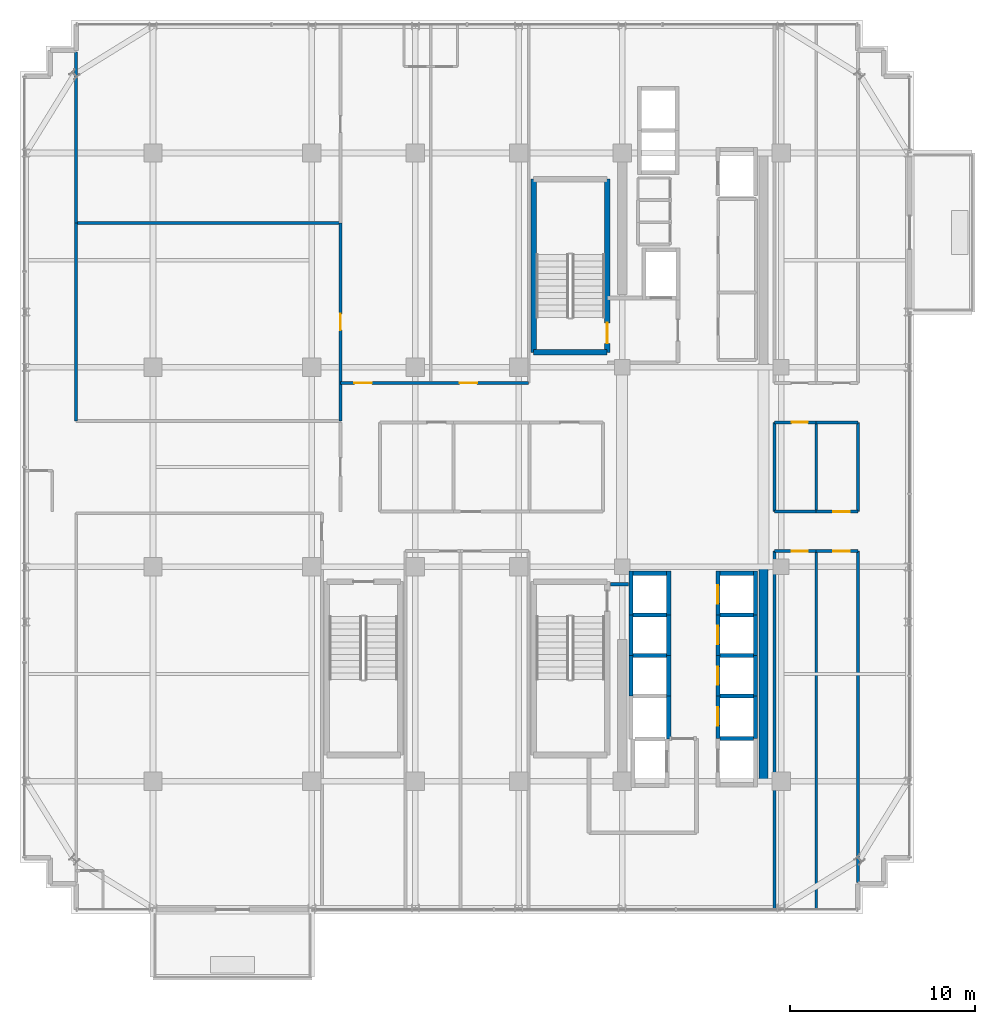
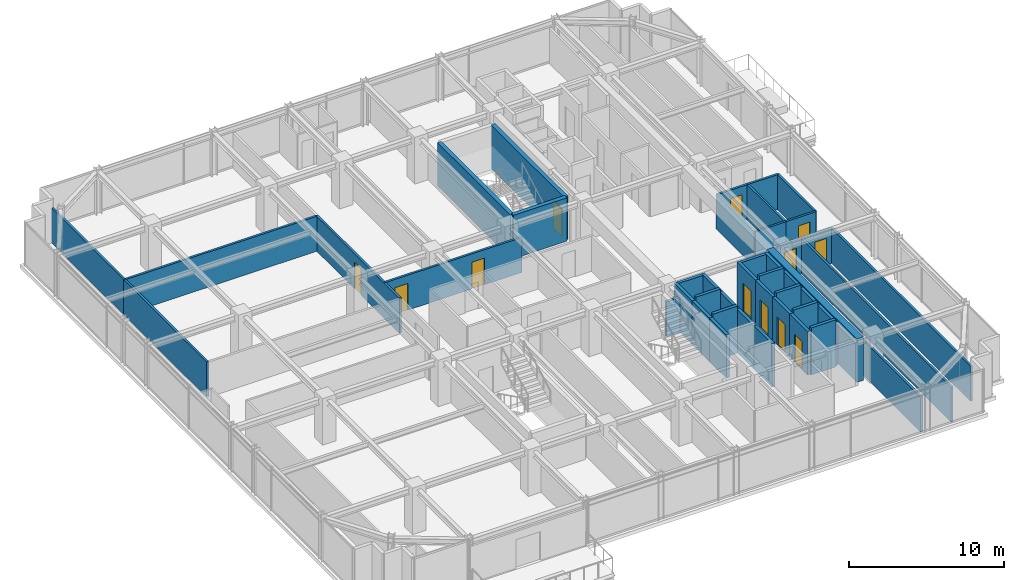
# One storey, part 31 of 36: 45 walls, 12 doors, 12 openings.
"""IFC4 building model written with IfcOpenShell, lengths in metres."""

from ifc_helpers import new_model, si_unit, direction, frame, frame_2d, origin, place, context, subcontext, project, spatial, rectangle, extrude, source, transform, mapped, material, layer, layer_set, type_object, element, fill, save


model = new_model("IFC4")

# Units and contexts
model_context = context("Model", 3, precision=1e-05, world=origin(), true_north=direction((0.0, 1.0)))
body_context = subcontext(model_context, "Body", "Model", "MODEL_VIEW")
ifc_project = project(units=[si_unit("LENGTHUNIT", "METRE"), si_unit("AREAUNIT", "SQUARE_METRE"), si_unit("VOLUMEUNIT", "CUBIC_METRE"), si_unit("PLANEANGLEUNIT", "RADIAN"), si_unit("MASSUNIT", "GRAM", prefix="KILO")], contexts=[model_context])

# Site, building, storey
site_placement = place(None, origin())
site = spatial("IfcSite", under=ifc_project, at=site_placement, CompositionType="ELEMENT")
building_placement = place(site_placement, origin())
building = spatial("IfcBuilding", under=site, at=building_placement, Name="Nahalor Promenade Grand Hotel", CompositionType="ELEMENT")
storey_placement = place(building_placement, frame((0.0, 0.0, 223.39990234375)))
storey = spatial("IfcBuildingStorey", under=building, at=storey_placement, Name="L57", CompositionType="ELEMENT", Elevation=223.39990234375)

# Walls
ifc_material_1 = material(Name="Concrete B-60 (C50/60)", Category="concrete")
ifc_layer_1 = layer(ifc_material_1, 0.5)
ifc_layer_set_1 = layer_set([ifc_layer_1], Name="Concrete B-60 (C50/60)")
wall_type_1 = type_object("IfcWallType", Name="Wall-CoreShear-500", PredefinedType="SHEAR", material=ifc_layer_set_1)
shared_shape_1 = source(origin(), body_context, "Body", "SweptSolid", [
    extrude(rectangle(XDim=11.60009765625, YDim=0.5, at=frame_2d((5.800048828125, 0.0))), origin(), (0.0, 0.0, 1.0), 3.41015625),
])
wall_1_placement = place(storey_placement, frame((16.050048828125, -17.0, 0.0), z_axis=(0.0, 0.0, 1.0), x_axis=(0.0, 1.0, 0.0)))
element("IfcWall", 1, at=wall_1_placement, inside=storey, type_object=wall_type_1, Name="CWALL-L57-SE", PredefinedType="SHEAR", context=body_context, shape_type="MappedRepresentation", body=[
    mapped(shared_shape_1, transform((0.0, 0.0, 0.0), scale=1.0)),
])
ifc_material_2 = material(Name="Concrete B-50 (C40/50)", Category="concrete")
ifc_layer_2 = layer(ifc_material_2, 0.300048828125)
ifc_layer_set_2 = layer_set([ifc_layer_2], Name="Concrete B-50 (C40/50)")
wall_type_2 = type_object("IfcWallType", Name="Wall-ShaftShear-300", PredefinedType="SHEAR", material=ifc_layer_set_2)
shared_shape_2 = source(origin(), body_context, "Body", "SweptSolid", [
    extrude(rectangle(XDim=3.97998046875, YDim=0.300048828125, at=frame_2d((1.989990234375, 0.0))), origin(), (0.0, 0.0, 1.0), 3.41015625),
])
wall_2_placement = place(storey_placement, frame((3.610107421875, 6.2099609375, 0.0), z_axis=(0.0, 0.0, 1.0), x_axis=(1.0, 0.0, 0.0)))
element("IfcWall", 2, at=wall_2_placement, inside=storey, type_object=wall_type_2, Name="L57 Exit Stair ST1 Shaft Wall S", PredefinedType="SHEAR", context=body_context, shape_type="MappedRepresentation", body=[
    mapped(shared_shape_2, transform((0.0, 0.0, 0.0), scale=1.0)),
])
shared_shape_3 = source(origin(), body_context, "Body", "SweptSolid", [
    extrude(rectangle(XDim=9.380126953125, YDim=0.300048828125, at=frame_2d((4.68994140625, 0.0))), origin(), (0.0, 0.0, 1.0), 3.41015625),
])
wall_3_placement = place(storey_placement, frame((3.610107421875, 6.2099609375, 0.0), z_axis=(0.0, 0.0, 1.0), x_axis=(0.0, 1.0, 0.0)))
element("IfcWall", 3, at=wall_3_placement, inside=storey, type_object=wall_type_2, Name="L57 Exit Stair ST1 Shaft Wall W", PredefinedType="SHEAR", context=body_context, shape_type="MappedRepresentation", body=[
    mapped(shared_shape_3, transform((0.0, 0.0, 0.0), scale=1.0)),
])

# Wall, opening, door
wall_4_placement = place(storey_placement, frame((7.590087890625, 6.2099609375, 0.0), z_axis=(0.0, 0.0, 1.0), x_axis=(0.0, 1.0, 0.0)))
wall_4 = element("IfcWall", 4, at=wall_4_placement, inside=storey, type_object=wall_type_2, Name="L57 Exit Stair ST1 Shaft Wall E", PredefinedType="SHEAR", context=body_context, shape_type="MappedRepresentation", body=[
    mapped(shared_shape_3, transform((0.0, 0.0, 0.0), scale=1.0)),
])
opening_1_placement = place(wall_4_placement, frame((0.489990234375, 0.0, 0.0)))
opening_1 = element("IfcOpeningElement", 5, at=opening_1_placement, cuts=wall_4, Name="Opening D-ST1", PredefinedType="OPENING", context=body_context, shape_type="SweptSolid", body=[
    extrude(rectangle(XDim=1.10009765625, YDim=2.14990234375, at=frame_2d((0.550048828125, 1.074951171875))), frame((0.0, 0.159912109375, 0.0), z_axis=(0.0, -1.0, 0.0), x_axis=(1.0, 0.0, 0.0)), (0.0, 0.0, 1.0), 0.320068359375),
])
ifc_material_3 = material(Name="Steel S355JR", Category="steel")
door_type_1 = type_object("IfcDoorType", Name="Door-StairFire-1100", OperationType="NOTDEFINED", PredefinedType="DOOR", material=ifc_material_3)
shared_shape_4 = source(origin(), body_context, "Body", "SweptSolid", [
    extrude(rectangle(XDim=1.10009765625, YDim=2.14990234375, at=frame_2d((0.550048828125, 1.074951171875))), frame((0.0, 0.02490234375, 0.0), z_axis=(0.0, -1.0, 0.0), x_axis=(1.0, 0.0, 0.0)), (0.0, 0.0, 1.0), 0.050048828125),
])
door_1_placement = place(opening_1_placement, origin())
door_1 = element("IfcDoor", 6, at=door_1_placement, inside=storey, type_object=door_type_1, Name="DR-STAIR-ST1-L57", OperationType="SINGLE_SWING_RIGHT", OverallHeight=2.14990234375, OverallWidth=1.10009765625, PredefinedType="DOOR", context=body_context, shape_type="MappedRepresentation", body=[
    mapped(shared_shape_4, transform((0.0, 0.0, 0.0), scale=1.0)),
])
fill(opening_1, door_1)

ifc_layer_3 = layer(ifc_material_2, 0.219970703125)
ifc_layer_set_3 = layer_set([ifc_layer_3], Name="Concrete B-50 (C40/50)")
wall_type_3 = type_object("IfcWallType", Name="Wall-LiftShaft-220", PredefinedType="SHEAR", material=ifc_layer_set_3)
shared_shape_5 = source(origin(), body_context, "Body", "SweptSolid", [
    extrude(rectangle(XDim=2.360107421875, YDim=0.219970703125, at=frame_2d((1.18017578125, 0.0))), origin(), (0.0, 0.0, 1.0), 3.41015625),
])
wall_5_placement = place(storey_placement, frame((13.580078125, -8.0, 0.0), z_axis=(0.0, 0.0, 1.0), x_axis=(0.0, 1.0, 0.0)))
wall_5 = element("IfcWall", 7, at=wall_5_placement, inside=storey, type_object=wall_type_3, Name="L57 Lift PL5 Hoistway Wall W", PredefinedType="SHEAR", context=body_context, shape_type="MappedRepresentation", body=[
    mapped(shared_shape_5, transform((0.0, 0.0, 0.0), scale=1.0)),
])
opening_2_placement = place(wall_5_placement, frame((0.60009765625, 0.0, 0.0)))
opening_2 = element("IfcOpeningElement", 8, at=opening_2_placement, cuts=wall_5, Name="Opening LD-01", PredefinedType="OPENING", context=body_context, shape_type="SweptSolid", body=[
    extrude(rectangle(XDim=1.0, YDim=2.199951171875, at=frame_2d((0.5, 1.10009765625))), frame((0.0, 0.119873046875, 0.0), z_axis=(0.0, -1.0, 0.0), x_axis=(1.0, 0.0, 0.0)), (0.0, 0.0, 1.0), 0.239990234375),
])
door_type_2 = type_object("IfcDoorType", Name="Door-LiftLanding-1000", OperationType="DOUBLE_DOOR_SLIDING", PredefinedType="DOOR", material=ifc_material_3)
shared_shape_6 = source(origin(), body_context, "Body", "SweptSolid", [
    extrude(rectangle(XDim=1.0, YDim=2.199951171875, at=frame_2d((0.5, 1.10009765625))), frame((0.0, 0.02490234375, 0.0), z_axis=(0.0, -1.0, 0.0), x_axis=(1.0, 0.0, 0.0)), (0.0, 0.0, 1.0), 0.050048828125),
])
door_2_placement = place(opening_2_placement, origin())
door_2 = element("IfcDoor", 9, at=door_2_placement, inside=storey, type_object=door_type_2, Name="DR-LIFT-PL5-L57", OperationType="DOUBLE_DOOR_SLIDING", OverallHeight=2.199951171875, OverallWidth=1.0, PredefinedType="DOOR", context=body_context, shape_type="MappedRepresentation", body=[
    mapped(shared_shape_6, transform((0.0, 0.0, 0.0), scale=1.0)),
])
fill(opening_2, door_2)

# Walls
for number, where, z_axis, x_axis, name in (
    (10, (15.6201171875, -8.0, 0.0), (0.0, 0.0, 1.0), (0.0, 1.0, 0.0), "L57 Lift PL5 Hoistway Wall E"),
    (11, (8.8798828125, -8.0, 0.0), (0.0, 0.0, 1.0), (0.0, 1.0, 0.0), "L57 Lift PL9 Hoistway Wall W"),
    (12, (10.919921875, -8.0, 0.0), (0.0, 0.0, 1.0), (0.0, 1.0, 0.0), "L57 Lift PL9 Hoistway Wall E"),
):
    element("IfcWall", number, at=place(storey_placement, frame(where, z_axis=z_axis, x_axis=x_axis)), inside=storey, type_object=wall_type_3, Name=name, PredefinedType="SHEAR", context=body_context, shape_type="MappedRepresentation", body=[
        mapped(shared_shape_5, transform((0.0, 0.0, 0.0), scale=1.0)),
    ])
shared_shape_7 = source(origin(), body_context, "Body", "SweptSolid", [
    extrude(rectangle(XDim=1.820068359375, YDim=0.219970703125, at=frame_2d((0.91015625, 0.0))), origin(), (0.0, 0.0, 1.0), 3.41015625),
])
for number, where, z_axis, x_axis, name in (
    (13, (13.68994140625, -5.75, 0.0), (0.0, 0.0, 1.0), (1.0, 0.0, 0.0), "L57 Lift PL5 Hoistway Wall N"),
    (14, (8.989990234375, -5.75, 0.0), (0.0, 0.0, 1.0), (1.0, 0.0, 0.0), "L57 Lift PL9 Hoistway Wall N"),
):
    element("IfcWall", number, at=place(storey_placement, frame(where, z_axis=z_axis, x_axis=x_axis)), inside=storey, type_object=wall_type_3, Name=name, PredefinedType="SHEAR", context=body_context, shape_type="MappedRepresentation", body=[
        mapped(shared_shape_7, transform((0.0, 0.0, 0.0), scale=1.0)),
    ])

# Wall, opening, door
shared_shape_8 = source(origin(), body_context, "Body", "SweptSolid", [
    extrude(rectangle(XDim=2.199951171875, YDim=0.219970703125, at=frame_2d((1.10009765625, 0.0))), origin(), (0.0, 0.0, 1.0), 3.41015625),
])
wall_6_placement = place(storey_placement, frame((13.580078125, -10.199951171875, 0.0), z_axis=(0.0, 0.0, 1.0), x_axis=(0.0, 1.0, 0.0)))
wall_6 = element("IfcWall", 15, at=wall_6_placement, inside=storey, type_object=wall_type_3, Name="L57 Lift PL6 Hoistway Wall W", PredefinedType="SHEAR", context=body_context, shape_type="MappedRepresentation", body=[
    mapped(shared_shape_8, transform((0.0, 0.0, 0.0), scale=1.0)),
])
opening_3_placement = place(wall_6_placement, frame((0.60009765625, 0.0, 0.0)))
opening_3 = element("IfcOpeningElement", 16, at=opening_3_placement, cuts=wall_6, Name="Opening LD-01", PredefinedType="OPENING", context=body_context, shape_type="SweptSolid", body=[
    extrude(rectangle(XDim=1.0, YDim=2.199951171875, at=frame_2d((0.5, 1.10009765625))), frame((0.0, 0.119873046875, 0.0), z_axis=(0.0, -1.0, 0.0), x_axis=(1.0, 0.0, 0.0)), (0.0, 0.0, 1.0), 0.239990234375),
])
door_3_placement = place(opening_3_placement, origin())
door_3 = element("IfcDoor", 17, at=door_3_placement, inside=storey, type_object=door_type_2, Name="DR-LIFT-PL6-L57", OperationType="DOUBLE_DOOR_SLIDING", OverallHeight=2.199951171875, OverallWidth=1.0, PredefinedType="DOOR", context=body_context, shape_type="MappedRepresentation", body=[
    mapped(shared_shape_6, transform((0.0, 0.0, 0.0), scale=1.0)),
])
fill(opening_3, door_3)

# Wall
wall_7_placement = place(storey_placement, frame((15.6201171875, -10.199951171875, 0.0), z_axis=(0.0, 0.0, 1.0), x_axis=(0.0, 1.0, 0.0)))
element("IfcWall", 18, at=wall_7_placement, inside=storey, type_object=wall_type_3, Name="L57 Lift PL6 Hoistway Wall E", PredefinedType="SHEAR", context=body_context, shape_type="MappedRepresentation", body=[
    mapped(shared_shape_8, transform((0.0, 0.0, 0.0), scale=1.0)),
])

# Wall, opening, door
wall_8_placement = place(storey_placement, frame((13.580078125, -12.39990234375, 0.0), z_axis=(0.0, 0.0, 1.0), x_axis=(0.0, 1.0, 0.0)))
wall_8 = element("IfcWall", 19, at=wall_8_placement, inside=storey, type_object=wall_type_3, Name="L57 Lift PL7 Hoistway Wall W", PredefinedType="SHEAR", context=body_context, shape_type="MappedRepresentation", body=[
    mapped(shared_shape_8, transform((0.0, 0.0, 0.0), scale=1.0)),
])
opening_4_placement = place(wall_8_placement, frame((0.60009765625, 0.0, 0.0)))
opening_4 = element("IfcOpeningElement", 20, at=opening_4_placement, cuts=wall_8, Name="Opening LD-01", PredefinedType="OPENING", context=body_context, shape_type="SweptSolid", body=[
    extrude(rectangle(XDim=1.0, YDim=2.199951171875, at=frame_2d((0.5, 1.10009765625))), frame((0.0, 0.119873046875, 0.0), z_axis=(0.0, -1.0, 0.0), x_axis=(1.0, 0.0, 0.0)), (0.0, 0.0, 1.0), 0.239990234375),
])
door_4_placement = place(opening_4_placement, origin())
door_4 = element("IfcDoor", 21, at=door_4_placement, inside=storey, type_object=door_type_2, Name="DR-LIFT-PL7-L57", OperationType="DOUBLE_DOOR_SLIDING", OverallHeight=2.199951171875, OverallWidth=1.0, PredefinedType="DOOR", context=body_context, shape_type="MappedRepresentation", body=[
    mapped(shared_shape_6, transform((0.0, 0.0, 0.0), scale=1.0)),
])
fill(opening_4, door_4)

# Walls
for number, where, z_axis, x_axis, name in (
    (22, (15.6201171875, -12.39990234375, 0.0), (0.0, 0.0, 1.0), (0.0, 1.0, 0.0), "L57 Lift PL7 Hoistway Wall E"),
    (23, (8.8798828125, -10.199951171875, 0.0), (0.0, 0.0, 1.0), (0.0, 1.0, 0.0), "L57 Lift PL10 Hoistway Wall W"),
    (24, (10.919921875, -10.199951171875, 0.0), (0.0, 0.0, 1.0), (0.0, 1.0, 0.0), "L57 Lift PL10 Hoistway Wall E"),
    (25, (8.8798828125, -12.39990234375, 0.0), (0.0, 0.0, 1.0), (0.0, 1.0, 0.0), "L57 Lift PL11 Hoistway Wall W"),
    (26, (10.919921875, -12.39990234375, 0.0), (0.0, 0.0, 1.0), (0.0, 1.0, 0.0), "L57 Lift PL11 Hoistway Wall E"),
):
    element("IfcWall", number, at=place(storey_placement, frame(where, z_axis=z_axis, x_axis=x_axis)), inside=storey, type_object=wall_type_3, Name=name, PredefinedType="SHEAR", context=body_context, shape_type="MappedRepresentation", body=[
        mapped(shared_shape_8, transform((0.0, 0.0, 0.0), scale=1.0)),
    ])
shared_shape_9 = source(origin(), body_context, "Body", "SweptSolid", [
    extrude(rectangle(XDim=1.820068359375, YDim=0.219970703125, at=frame_2d((0.91015625, 0.0))), origin(), (0.0, 0.0, 1.0), 3.7001953125),
])
for number, where, z_axis, x_axis, name in (
    (27, (13.68994140625, -8.0, 0.0), (0.0, 0.0, 1.0), (1.0, 0.0, 0.0), "L57 Lift PL6 Hoistway Wall N"),
    (28, (13.68994140625, -10.199951171875, 0.0), (0.0, 0.0, 1.0), (1.0, 0.0, 0.0), "L57 Lift PL7 Hoistway Wall N"),
    (29, (13.68994140625, -12.39990234375, 0.0), (0.0, 0.0, 1.0), (1.0, 0.0, 0.0), "L57 Lift PL8 Hoistway Wall N"),
    (30, (8.989990234375, -8.0, 0.0), (0.0, 0.0, 1.0), (1.0, 0.0, 0.0), "L57 Lift PL10 Hoistway Wall N"),
    (31, (8.989990234375, -10.199951171875, 0.0), (0.0, 0.0, 1.0), (1.0, 0.0, 0.0), "L57 Lift PL11 Hoistway Wall N"),
    (32, (13.68994140625, -14.699951171875, 0.0), (0.0, 0.0, 1.0), (1.0, 0.0, 0.0), "L57 Lift SV2 Hoistway Wall N"),
):
    element("IfcWall", number, at=place(storey_placement, frame(where, z_axis=z_axis, x_axis=x_axis)), inside=storey, type_object=wall_type_3, Name=name, PredefinedType="SHEAR", context=body_context, shape_type="MappedRepresentation", body=[
        mapped(shared_shape_9, transform((0.0, 0.0, 0.0), scale=1.0)),
    ])

# Wall, opening, door
shared_shape_10 = source(origin(), body_context, "Body", "SweptSolid", [
    extrude(rectangle(XDim=2.300048828125, YDim=0.219970703125, at=frame_2d((1.14990234375, 0.0))), origin(), (0.0, 0.0, 1.0), 3.41015625),
])
wall_9_placement = place(storey_placement, frame((13.580078125, -14.699951171875, 0.0), z_axis=(0.0, 0.0, 1.0), x_axis=(0.0, 1.0, 0.0)))
wall_9 = element("IfcWall", 33, at=wall_9_placement, inside=storey, type_object=wall_type_3, Name="L57 Lift PL8 Hoistway Wall W", PredefinedType="SHEAR", context=body_context, shape_type="MappedRepresentation", body=[
    mapped(shared_shape_10, transform((0.0, 0.0, 0.0), scale=1.0)),
])
opening_5_placement = place(wall_9_placement, frame((0.699951171875, 0.0, 0.0)))
opening_5 = element("IfcOpeningElement", 34, at=opening_5_placement, cuts=wall_9, Name="Opening LD-01", PredefinedType="OPENING", context=body_context, shape_type="SweptSolid", body=[
    extrude(rectangle(XDim=1.0, YDim=2.199951171875, at=frame_2d((0.5, 1.10009765625))), frame((0.0, 0.119873046875, 0.0), z_axis=(0.0, -1.0, 0.0), x_axis=(1.0, 0.0, 0.0)), (0.0, 0.0, 1.0), 0.239990234375),
])
door_5_placement = place(opening_5_placement, origin())
door_5 = element("IfcDoor", 35, at=door_5_placement, inside=storey, type_object=door_type_2, Name="DR-LIFT-PL8-L57", OperationType="DOUBLE_DOOR_SLIDING", OverallHeight=2.199951171875, OverallWidth=1.0, PredefinedType="DOOR", context=body_context, shape_type="MappedRepresentation", body=[
    mapped(shared_shape_6, transform((0.0, 0.0, 0.0), scale=1.0)),
])
fill(opening_5, door_5)

# Walls
wall_10_placement = place(storey_placement, frame((15.6201171875, -14.699951171875, 0.0), z_axis=(0.0, 0.0, 1.0), x_axis=(0.0, 1.0, 0.0)))
element("IfcWall", 36, at=wall_10_placement, inside=storey, type_object=wall_type_3, Name="L57 Lift PL8 Hoistway Wall E", PredefinedType="SHEAR", context=body_context, shape_type="MappedRepresentation", body=[
    mapped(shared_shape_10, transform((0.0, 0.0, 0.0), scale=1.0)),
])
shared_shape_11 = source(origin(), body_context, "Body", "SweptSolid", [
    extrude(rectangle(XDim=2.3251953125, YDim=0.219970703125, at=frame_2d((1.16259765625, 0.0))), origin(), (0.0, 0.0, 1.0), 3.41015625),
])
wall_11_placement = place(storey_placement, frame((10.919921875, -14.72509765625, 0.0), z_axis=(0.0, 0.0, 1.0), x_axis=(0.0, 1.0, 0.0)))
element("IfcWall", 37, at=wall_11_placement, inside=storey, type_object=wall_type_3, Name="L57 Lift PL12 Hoistway Wall E", PredefinedType="SHEAR", context=body_context, shape_type="MappedRepresentation", body=[
    mapped(shared_shape_11, transform((0.0, 0.0, 0.0), scale=1.0)),
])
ifc_material_4 = material(Name="Concrete B-40 (C32/40)", Category="concrete")
ifc_layer_4 = layer(ifc_material_4, 0.199951171875)
ifc_layer_set_4 = layer_set([ifc_layer_4], Name="Concrete B-40 (C32/40)")
wall_type_4 = type_object("IfcWallType", Name="Wall-PartFire-200", PredefinedType="PARTITIONING", material=ifc_layer_set_4)
shared_shape_12 = source(origin(), body_context, "Body", "SweptSolid", [
    extrude(rectangle(XDim=0.969970703125, YDim=0.199951171875, at=frame_2d((0.48486328125, 0.0))), origin(), (0.0, 0.0, 1.0), 2.75),
])
wall_12_placement = place(storey_placement, frame((7.77001953125, -6.35009765625, 0.0), z_axis=(0.0, 0.0, 1.0), x_axis=(1.0, 0.0, 0.0)))
element("IfcWall", 38, at=wall_12_placement, inside=storey, type_object=wall_type_4, Name="W-L57-FF2-N2", PredefinedType="PARTITIONING", context=body_context, shape_type="MappedRepresentation", body=[
    mapped(shared_shape_12, transform((0.0, 0.0, 0.0), scale=1.0)),
])

# Wall, opening, door
ifc_material_5 = material(Name="Acoustic Mineral Gypsum", Category="gypsum")
ifc_layer_5 = layer(ifc_material_5, 0.159912109375)
ifc_layer_set_5 = layer_set([ifc_layer_5], Name="Acoustic Mineral Gypsum")
wall_type_5 = type_object("IfcWallType", Name="Wall-PartCorridor-160", PredefinedType="PARTITIONING", material=ifc_layer_set_5)
shared_shape_13 = source(origin(), body_context, "Body", "SweptSolid", [
    extrude(rectangle(XDim=2.255126953125, YDim=0.159912109375, at=frame_2d((1.12744140625, 0.0))), origin(), (0.0, 0.0, 1.0), 2.75),
])
wall_13_placement = place(storey_placement, frame((16.64990234375, -4.550048828125, 0.0), z_axis=(0.0, 0.0, 1.0), x_axis=(1.0, 0.0, 0.0)))
wall_13 = element("IfcWall", 39, at=wall_13_placement, inside=storey, type_object=wall_type_5, Name="W-L57-ESE1-N", PredefinedType="PARTITIONING", context=body_context, shape_type="MappedRepresentation", body=[
    mapped(shared_shape_13, transform((0.0, 0.0, 0.0), scale=1.0)),
])
opening_6_placement = place(wall_13_placement, frame((0.924072265625, 0.0, 0.0)))
opening_6 = element("IfcOpeningElement", 40, at=opening_6_placement, cuts=wall_13, Name="Opening D-03", PredefinedType="OPENING", context=body_context, shape_type="SweptSolid", body=[
    extrude(rectangle(XDim=0.8798828125, YDim=2.10009765625, at=frame_2d((0.43994140625, 1.050048828125))), frame((0.0, 0.08984375, 0.0), z_axis=(0.0, -1.0, 0.0), x_axis=(1.0, 0.0, 0.0)), (0.0, 0.0, 1.0), 0.179931640625),
])
ifc_material_6 = material(Name="Fire-Rated Timber Composite", Category="wood")
door_type_3 = type_object("IfcDoorType", Name="Door-BathSwing-880", OperationType="NOTDEFINED", PredefinedType="DOOR", material=ifc_material_6)
shared_shape_14 = source(origin(), body_context, "Body", "SweptSolid", [
    extrude(rectangle(XDim=0.8798828125, YDim=2.10009765625, at=frame_2d((0.43994140625, 1.050048828125))), frame((0.0, 0.02490234375, 0.0), z_axis=(0.0, -1.0, 0.0), x_axis=(1.0, 0.0, 0.0)), (0.0, 0.0, 1.0), 0.050048828125),
])
door_6_placement = place(opening_6_placement, frame((0.8798828125, 0.0, 0.0), z_axis=(0.0, 0.0, 1.0), x_axis=(-1.0, 0.0, 0.0)))
door_6 = element("IfcDoor", 41, at=door_6_placement, inside=storey, type_object=door_type_3, Name="DR-L57-ESE1", OperationType="SINGLE_SWING_LEFT", OverallHeight=2.10009765625, OverallWidth=0.8798828125, PredefinedType="DOOR", context=body_context, shape_type="MappedRepresentation", body=[
    mapped(shared_shape_14, transform((0.0, 0.0, 0.0), scale=1.0)),
])
fill(opening_6, door_6)

# Wall
wall_14_placement = place(storey_placement, frame((16.64990234375, -2.419921875, 0.0), z_axis=(0.0, 0.0, 1.0), x_axis=(1.0, 0.0, 0.0)))
element("IfcWall", 42, at=wall_14_placement, inside=storey, type_object=wall_type_5, Name="W-L57-ECW1-S", PredefinedType="PARTITIONING", context=body_context, shape_type="MappedRepresentation", body=[
    mapped(shared_shape_13, transform((0.0, 0.0, 0.0), scale=1.0)),
])

# Wall, opening, door
wall_15_placement = place(storey_placement, frame((16.64990234375, 2.419921875, 0.0), z_axis=(0.0, 0.0, 1.0), x_axis=(1.0, 0.0, 0.0)))
wall_15 = element("IfcWall", 43, at=wall_15_placement, inside=storey, type_object=wall_type_5, Name="W-L57-ECW1-N", PredefinedType="PARTITIONING", context=body_context, shape_type="MappedRepresentation", body=[
    mapped(shared_shape_13, transform((0.0, 0.0, 0.0), scale=1.0)),
])
opening_7_placement = place(wall_15_placement, frame((0.924072265625, 0.0, 0.0)))
opening_7 = element("IfcOpeningElement", 44, at=opening_7_placement, cuts=wall_15, Name="Opening D-03", PredefinedType="OPENING", context=body_context, shape_type="SweptSolid", body=[
    extrude(rectangle(XDim=0.8798828125, YDim=2.10009765625, at=frame_2d((0.43994140625, 1.050048828125))), frame((0.0, 0.08984375, 0.0), z_axis=(0.0, -1.0, 0.0), x_axis=(1.0, 0.0, 0.0)), (0.0, 0.0, 1.0), 0.179931640625),
])
door_7_placement = place(opening_7_placement, frame((0.8798828125, 0.0, 0.0), z_axis=(0.0, 0.0, 1.0), x_axis=(-1.0, 0.0, 0.0)))
door_7 = element("IfcDoor", 45, at=door_7_placement, inside=storey, type_object=door_type_3, Name="DR-L57-ECW1", OperationType="SINGLE_SWING_RIGHT", OverallHeight=2.10009765625, OverallWidth=0.8798828125, PredefinedType="DOOR", context=body_context, shape_type="MappedRepresentation", body=[
    mapped(shared_shape_14, transform((0.0, 0.0, 0.0), scale=1.0)),
])
fill(opening_7, door_7)

# Walls
shared_shape_15 = source(origin(), body_context, "Body", "SweptSolid", [
    extrude(rectangle(XDim=19.349853515625, YDim=0.159912109375, at=frame_2d((9.6748046875, 0.0))), origin(), (0.0, 0.0, 1.0), 2.75),
])
for number, where, z_axis, x_axis, name in (
    (46, (16.64990234375, -23.89990234375, 0.0), (0.0, 0.0, 1.0), (0.0, 1.0, 0.0), "W-L57-ESE1-W"),
    (47, (18.905029296875, -23.89990234375, 0.0), (0.0, 0.0, 1.0), (0.0, 1.0, 0.0), "W-L57-ESE1-E"),
):
    element("IfcWall", number, at=place(storey_placement, frame(where, z_axis=z_axis, x_axis=x_axis)), inside=storey, type_object=wall_type_5, Name=name, PredefinedType="PARTITIONING", context=body_context, shape_type="MappedRepresentation", body=[
        mapped(shared_shape_15, transform((0.0, 0.0, 0.0), scale=1.0)),
    ])

# Wall, opening, door
shared_shape_16 = source(origin(), body_context, "Body", "SweptSolid", [
    extrude(rectangle(XDim=2.2548828125, YDim=0.159912109375, at=frame_2d((1.12744140625, 0.0))), origin(), (0.0, 0.0, 1.0), 2.75),
])
wall_16_placement = place(storey_placement, frame((18.905029296875, -4.550048828125, 0.0), z_axis=(0.0, 0.0, 1.0), x_axis=(1.0, 0.0, 0.0)))
wall_16 = element("IfcWall", 48, at=wall_16_placement, inside=storey, type_object=wall_type_5, Name="W-L57-ESE2-N", PredefinedType="PARTITIONING", context=body_context, shape_type="MappedRepresentation", body=[
    mapped(shared_shape_16, transform((0.0, 0.0, 0.0), scale=1.0)),
])
opening_8_placement = place(wall_16_placement, frame((0.924072265625, 0.0, 0.0)))
opening_8 = element("IfcOpeningElement", 49, at=opening_8_placement, cuts=wall_16, Name="Opening D-03", PredefinedType="OPENING", context=body_context, shape_type="SweptSolid", body=[
    extrude(rectangle(XDim=0.8798828125, YDim=2.10009765625, at=frame_2d((0.43994140625, 1.050048828125))), frame((0.0, 0.08984375, 0.0), z_axis=(0.0, -1.0, 0.0), x_axis=(1.0, 0.0, 0.0)), (0.0, 0.0, 1.0), 0.179931640625),
])
door_8_placement = place(opening_8_placement, frame((0.8798828125, 0.0, 0.0), z_axis=(0.0, 0.0, 1.0), x_axis=(-1.0, 0.0, 0.0)))
door_8 = element("IfcDoor", 50, at=door_8_placement, inside=storey, type_object=door_type_3, Name="DR-L57-ESE2", OperationType="SINGLE_SWING_RIGHT", OverallHeight=2.10009765625, OverallWidth=0.8798828125, PredefinedType="DOOR", context=body_context, shape_type="MappedRepresentation", body=[
    mapped(shared_shape_14, transform((0.0, 0.0, 0.0), scale=1.0)),
])
fill(opening_8, door_8)

wall_17_placement = place(storey_placement, frame((18.905029296875, -2.419921875, 0.0), z_axis=(0.0, 0.0, 1.0), x_axis=(1.0, 0.0, 0.0)))
wall_17 = element("IfcWall", 51, at=wall_17_placement, inside=storey, type_object=wall_type_5, Name="W-L57-ECW2-S", PredefinedType="PARTITIONING", context=body_context, shape_type="MappedRepresentation", body=[
    mapped(shared_shape_16, transform((0.0, 0.0, 0.0), scale=1.0)),
])
opening_9_placement = place(wall_17_placement, frame((0.924072265625, 0.0, 0.0)))
opening_9 = element("IfcOpeningElement", 52, at=opening_9_placement, cuts=wall_17, Name="Opening D-03", PredefinedType="OPENING", context=body_context, shape_type="SweptSolid", body=[
    extrude(rectangle(XDim=0.8798828125, YDim=2.10009765625, at=frame_2d((0.43994140625, 1.050048828125))), frame((0.0, 0.08984375, 0.0), z_axis=(0.0, -1.0, 0.0), x_axis=(1.0, 0.0, 0.0)), (0.0, 0.0, 1.0), 0.179931640625),
])
door_9_placement = place(opening_9_placement, origin())
door_9 = element("IfcDoor", 53, at=door_9_placement, inside=storey, type_object=door_type_3, Name="DR-L57-ECW2", OperationType="SINGLE_SWING_LEFT", OverallHeight=2.10009765625, OverallWidth=0.8798828125, PredefinedType="DOOR", context=body_context, shape_type="MappedRepresentation", body=[
    mapped(shared_shape_14, transform((0.0, 0.0, 0.0), scale=1.0)),
])
fill(opening_9, door_9)

# Walls
wall_18_placement = place(storey_placement, frame((18.905029296875, 2.419921875, 0.0), z_axis=(0.0, 0.0, 1.0), x_axis=(1.0, 0.0, 0.0)))
element("IfcWall", 54, at=wall_18_placement, inside=storey, type_object=wall_type_5, Name="W-L57-ECW2-N", PredefinedType="PARTITIONING", context=body_context, shape_type="MappedRepresentation", body=[
    mapped(shared_shape_16, transform((0.0, 0.0, 0.0), scale=1.0)),
])
shared_shape_17 = source(origin(), body_context, "Body", "SweptSolid", [
    extrude(rectangle(XDim=17.929931640625, YDim=0.159912109375, at=frame_2d((8.96484375, 0.0))), origin(), (0.0, 0.0, 1.0), 2.75),
])
wall_19_placement = place(storey_placement, frame((21.159912109375, -22.47998046875, 0.0), z_axis=(0.0, 0.0, 1.0), x_axis=(0.0, 1.0, 0.0)))
element("IfcWall", 55, at=wall_19_placement, inside=storey, type_object=wall_type_5, Name="W-L57-ESE2-E", PredefinedType="PARTITIONING", context=body_context, shape_type="MappedRepresentation", body=[
    mapped(shared_shape_17, transform((0.0, 0.0, 0.0), scale=1.0)),
])
shared_shape_18 = source(origin(), body_context, "Body", "SweptSolid", [
    extrude(rectangle(XDim=4.83984375, YDim=0.159912109375, at=frame_2d((2.419921875, 0.0))), origin(), (0.0, 0.0, 1.0), 2.75),
])
for number, where, z_axis, x_axis, name in (
    (56, (16.64990234375, -2.419921875, 0.0), (0.0, 0.0, 1.0), (0.0, 1.0, 0.0), "W-L57-ECW1-W"),
    (57, (18.905029296875, -2.419921875, 0.0), (0.0, 0.0, 1.0), (0.0, 1.0, 0.0), "W-L57-ECW1-E"),
    (58, (21.159912109375, -2.419921875, 0.0), (0.0, 0.0, 1.0), (0.0, 1.0, 0.0), "W-L57-ECW2-E"),
):
    element("IfcWall", number, at=place(storey_placement, frame(where, z_axis=z_axis, x_axis=x_axis)), inside=storey, type_object=wall_type_5, Name=name, PredefinedType="PARTITIONING", context=body_context, shape_type="MappedRepresentation", body=[
        mapped(shared_shape_18, transform((0.0, 0.0, 0.0), scale=1.0)),
    ])
shared_shape_19 = source(origin(), body_context, "Body", "SweptSolid", [
    extrude(rectangle(XDim=14.309814453125, YDim=0.159912109375, at=frame_2d((7.15478515625, 0.0))), origin(), (0.0, 0.0, 1.0), 2.75),
])
wall_20_placement = place(storey_placement, frame((-21.159912109375, 13.199951171875, 0.0), z_axis=(0.0, 0.0, 1.0), x_axis=(1.0, 0.0, 0.0)))
element("IfcWall", 59, at=wall_20_placement, inside=storey, type_object=wall_type_5, Name="W-L57-NW0A-N", PredefinedType="PARTITIONING", context=body_context, shape_type="MappedRepresentation", body=[
    mapped(shared_shape_19, transform((0.0, 0.0, 0.0), scale=1.0)),
])
shared_shape_20 = source(origin(), body_context, "Body", "SweptSolid", [
    extrude(rectangle(XDim=10.699951171875, YDim=0.159912109375, at=frame_2d((5.35009765625, 0.0))), origin(), (0.0, 0.0, 1.0), 2.75),
])
wall_21_placement = place(storey_placement, frame((-21.159912109375, 2.5, 0.0), z_axis=(0.0, 0.0, 1.0), x_axis=(0.0, 1.0, 0.0)))
element("IfcWall", 60, at=wall_21_placement, inside=storey, type_object=wall_type_5, Name="W-L57-NW0A-W", PredefinedType="PARTITIONING", context=body_context, shape_type="MappedRepresentation", body=[
    mapped(shared_shape_20, transform((0.0, 0.0, 0.0), scale=1.0)),
])

# Wall, opening, door
wall_22_placement = place(storey_placement, frame((-6.85009765625, 2.5, 0.0), z_axis=(0.0, 0.0, 1.0), x_axis=(0.0, 1.0, 0.0)))
wall_22 = element("IfcWall", 61, at=wall_22_placement, inside=storey, type_object=wall_type_5, Name="W-L57-NW0A-E", PredefinedType="PARTITIONING", context=body_context, shape_type="MappedRepresentation", body=[
    mapped(shared_shape_20, transform((0.0, 0.0, 0.0), scale=1.0)),
])
opening_10_placement = place(wall_22_placement, frame((4.909912109375, 0.0, 0.0)))
opening_10 = element("IfcOpeningElement", 62, at=opening_10_placement, cuts=wall_22, Name="Opening D-03", PredefinedType="OPENING", context=body_context, shape_type="SweptSolid", body=[
    extrude(rectangle(XDim=0.8798828125, YDim=2.10009765625, at=frame_2d((0.43994140625, 1.050048828125))), frame((0.0, 0.08984375, 0.0), z_axis=(0.0, -1.0, 0.0), x_axis=(1.0, 0.0, 0.0)), (0.0, 0.0, 1.0), 0.179931640625),
])
door_10_placement = place(opening_10_placement, origin())
door_10 = element("IfcDoor", 63, at=door_10_placement, inside=storey, type_object=door_type_3, Name="DR-L57-NW0A", OperationType="SINGLE_SWING_LEFT", OverallHeight=2.10009765625, OverallWidth=0.8798828125, PredefinedType="DOOR", context=body_context, shape_type="MappedRepresentation", body=[
    mapped(shared_shape_14, transform((0.0, 0.0, 0.0), scale=1.0)),
])
fill(opening_10, door_10)

# Wall
shared_shape_21 = source(origin(), body_context, "Body", "SweptSolid", [
    extrude(rectangle(XDim=9.280029296875, YDim=0.159912109375, at=frame_2d((4.64013671875, 0.0))), origin(), (0.0, 0.0, 1.0), 2.75),
])
wall_23_placement = place(storey_placement, frame((-21.159912109375, 13.199951171875, 0.0), z_axis=(0.0, 0.0, 1.0), x_axis=(0.0, 1.0, 0.0)))
element("IfcWall", 64, at=wall_23_placement, inside=storey, type_object=wall_type_5, Name="W-L57-NW0B-W", PredefinedType="PARTITIONING", context=body_context, shape_type="MappedRepresentation", body=[
    mapped(shared_shape_21, transform((0.0, 0.0, 0.0), scale=1.0)),
])

# Wall, openings, doors
shared_shape_22 = source(origin(), body_context, "Body", "SweptSolid", [
    extrude(rectangle(XDim=10.190185546875, YDim=0.159912109375, at=frame_2d((5.09521484375, 0.0))), origin(), (0.0, 0.0, 1.0), 2.75),
])
wall_24_placement = place(storey_placement, frame((-6.85009765625, 4.550048828125, 0.0), z_axis=(0.0, 0.0, 1.0), x_axis=(1.0, 0.0, 0.0)))
wall_24 = element("IfcWall", 65, at=wall_24_placement, inside=storey, type_object=wall_type_5, Name="W-L57-CORR-N", PredefinedType="PARTITIONING", context=body_context, shape_type="MappedRepresentation", body=[
    mapped(shared_shape_22, transform((0.0, 0.0, 0.0), scale=1.0)),
])
opening_11_placement = place(wall_24_placement, frame((0.7451171875, 0.0, 0.0)))
opening_11 = element("IfcOpeningElement", 66, at=opening_11_placement, cuts=wall_24, Name="Opening D-01", PredefinedType="OPENING", context=body_context, shape_type="SweptSolid", body=[
    extrude(rectangle(XDim=0.949951171875, YDim=2.10009765625, at=frame_2d((0.47509765625, 1.050048828125))), frame((0.0, 0.08984375, 0.0), z_axis=(0.0, -1.0, 0.0), x_axis=(1.0, 0.0, 0.0)), (0.0, 0.0, 1.0), 0.179931640625),
])
opening_12_placement = place(wall_24_placement, frame((6.449951171875, 0.0, 0.0)))
opening_12 = element("IfcOpeningElement", 67, at=opening_12_placement, cuts=wall_24, Name="Opening D-01", PredefinedType="OPENING", context=body_context, shape_type="SweptSolid", body=[
    extrude(rectangle(XDim=0.949951171875, YDim=2.10009765625, at=frame_2d((0.47509765625, 1.050048828125))), frame((0.0, 0.08984375, 0.0), z_axis=(0.0, -1.0, 0.0), x_axis=(1.0, 0.0, 0.0)), (0.0, 0.0, 1.0), 0.179931640625),
])
door_type_4 = type_object("IfcDoorType", Name="Door-GuestEntry-950", OperationType="NOTDEFINED", PredefinedType="DOOR", material=ifc_material_6)
shared_shape_23 = source(origin(), body_context, "Body", "SweptSolid", [
    extrude(rectangle(XDim=0.949951171875, YDim=2.10009765625, at=frame_2d((0.47509765625, 1.050048828125))), frame((0.0, 0.02490234375, 0.0), z_axis=(0.0, -1.0, 0.0), x_axis=(1.0, 0.0, 0.0)), (0.0, 0.0, 1.0), 0.050048828125),
])
door_11_placement = place(opening_11_placement, origin())
door_11 = element("IfcDoor", 68, at=door_11_placement, inside=storey, type_object=door_type_4, Name="DR-L57-N1-ENT", OperationType="SINGLE_SWING_RIGHT", OverallHeight=2.10009765625, OverallWidth=0.949951171875, PredefinedType="DOOR", context=body_context, shape_type="MappedRepresentation", body=[
    mapped(shared_shape_23, transform((0.0, 0.0, 0.0), scale=1.0)),
])
fill(opening_11, door_11)
door_12_placement = place(opening_12_placement, origin())
door_12 = element("IfcDoor", 69, at=door_12_placement, inside=storey, type_object=door_type_4, Name="DR-L57-N2-ENT", OperationType="SINGLE_SWING_RIGHT", OverallHeight=2.10009765625, OverallWidth=0.949951171875, PredefinedType="DOOR", context=body_context, shape_type="MappedRepresentation", body=[
    mapped(shared_shape_23, transform((0.0, 0.0, 0.0), scale=1.0)),
])
fill(opening_12, door_12)

save(model, "model.ifc")
